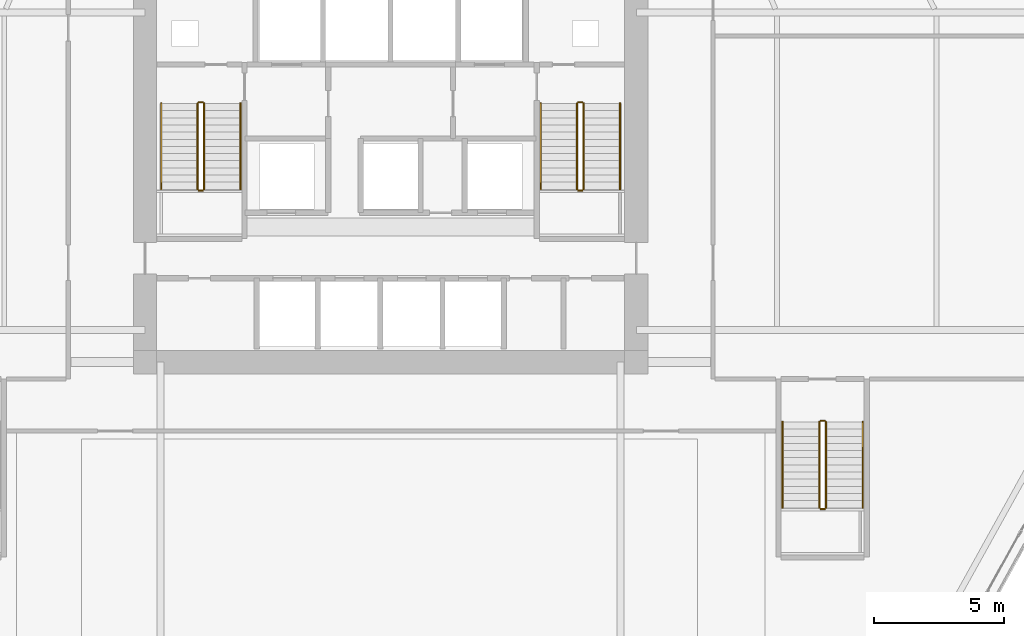
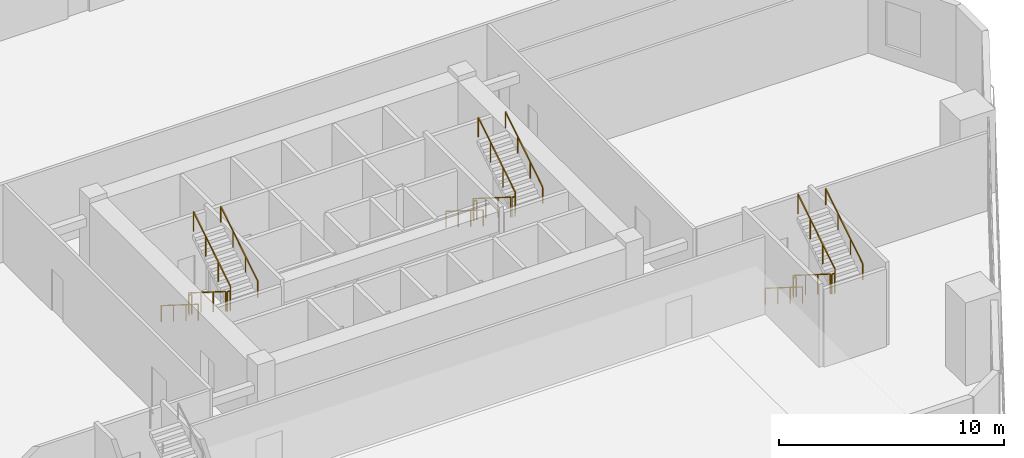
# One storey, part 17 of 18: 18 railings.
"""IFC4 building model written with IfcOpenShell, lengths in metres."""

from ifc_helpers import new_model, si_unit, direction, frame, origin, origin_2d, place, context, subcontext, project, spatial, rectangle, extrude, material, type_object, element, save


model = new_model("IFC4")

# Units and contexts
model_context = context("Model", 3, precision=1e-05, world=origin(), true_north=direction((0.0, 1.0)))
body_context = subcontext(model_context, "Body", "Model", "MODEL_VIEW")
ifc_project = project(units=[si_unit("LENGTHUNIT", "METRE"), si_unit("AREAUNIT", "SQUARE_METRE"), si_unit("VOLUMEUNIT", "CUBIC_METRE"), si_unit("PLANEANGLEUNIT", "RADIAN"), si_unit("MASSUNIT", "GRAM", prefix="KILO")], contexts=[model_context])

# Site, building, storey
site_placement = place(None, origin())
site = spatial("IfcSite", under=ifc_project, at=site_placement, CompositionType="ELEMENT")
building_placement = place(site_placement, origin())
building = spatial("IfcBuilding", under=site, at=building_placement, Name="Cinnabar Lancet Tower", CompositionType="ELEMENT")
storey_placement = place(building_placement, frame((0.0, 0.0, 15.0)))
storey = spatial("IfcBuildingStorey", under=building, at=storey_placement, Name="L03", CompositionType="ELEMENT", Elevation=15.0)

# Railings
ifc_material_1 = material(Name="Painted galvanized steel balustrade", Category="steel")
railing_type_1 = type_object("IfcRailingType", Name="GUARD-STAIR", PredefinedType="GUARDRAIL", material=ifc_material_1)
railing_1_placement = place(storey_placement, frame((24.97509765625, 28.39990234375, 0.173095703125)))
element("IfcRailing", 1, at=railing_1_placement, inside=storey, type_object=railing_type_1, Name="L03 ST-1 stair guard 1", PredefinedType="GUARDRAIL", context=body_context, shape_type="SweptSolid", body=[
    extrude(rectangle(XDim=0.048095703125, YDim=0.048095703125, at=origin_2d()), frame((0.0, 0.0, 1.076171875), z_axis=(0.0, -0.846319618018, 0.532675421018), x_axis=(1.0, 0.0, 0.0)), (0.0, 0.0, 1.0), 3.89892578125),
    extrude(rectangle(XDim=0.0419921875, YDim=0.0419921875, at=origin_2d()), origin(), (0.0, 0.0, 1.0), 1.052001953125),
    extrude(rectangle(XDim=0.0419921875, YDim=0.0419921875, at=origin_2d()), frame((0.0, -1.099853515625, 0.6923828125)), (0.0, 0.0, 1.0), 1.052001953125),
    extrude(rectangle(XDim=0.0419921875, YDim=0.0419921875, at=origin_2d()), frame((0.0, -2.199951171875, 1.384521484375)), (0.0, 0.0, 1.0), 1.052001953125),
    extrude(rectangle(XDim=0.0419921875, YDim=0.0419921875, at=origin_2d()), frame((0.0, -3.2998046875, 2.076904296875)), (0.0, 0.0, 1.0), 1.052001953125),
])
railing_2_placement = place(storey_placement, frame((25.02490234375, 25.050048828125, 2.25)))
element("IfcRailing", 2, at=railing_2_placement, inside=storey, type_object=railing_type_1, Name="L03 ST-1 stair guard 2", PredefinedType="GUARDRAIL", context=body_context, shape_type="SweptSolid", body=[
    extrude(rectangle(XDim=0.048095703125, YDim=0.048095703125, at=origin_2d()), frame((0.0, 0.0, 1.076171875), z_axis=(1.0, 0.0, 0.0), x_axis=(0.0, 1.0, 0.0)), (0.0, 0.0, 1.0), 0.150146484375),
    extrude(rectangle(XDim=0.0419921875, YDim=0.0419921875, at=origin_2d()), origin(), (0.0, 0.0, 1.0), 1.052001953125),
    extrude(rectangle(XDim=0.0419921875, YDim=0.0419921875, at=origin_2d()), frame((0.150146484375, 0.0, 0.0)), (0.0, 0.0, 1.0), 1.052001953125),
])
railing_3_placement = place(storey_placement, frame((25.22509765625, 25.10009765625, 2.423095703125)))
element("IfcRailing", 3, at=railing_3_placement, inside=storey, type_object=railing_type_1, Name="L03 ST-1 stair guard 3", PredefinedType="GUARDRAIL", context=body_context, shape_type="SweptSolid", body=[
    extrude(rectangle(XDim=0.048095703125, YDim=0.048095703125, at=origin_2d()), frame((0.0, 0.0, 1.076171875), z_axis=(0.0, 0.846319618018, 0.532675421018), x_axis=(-1.0, 0.0, 0.0)), (0.0, 0.0, 1.0), 3.89892578125),
    extrude(rectangle(XDim=0.0419921875, YDim=0.0419921875, at=origin_2d()), origin(), (0.0, 0.0, 1.0), 1.052001953125),
    extrude(rectangle(XDim=0.0419921875, YDim=0.0419921875, at=origin_2d()), frame((0.0, 1.099853515625, 0.6923828125)), (0.0, 0.0, 1.0), 1.052001953125),
    extrude(rectangle(XDim=0.0419921875, YDim=0.0419921875, at=origin_2d()), frame((0.0, 2.199951171875, 1.384521484375)), (0.0, 0.0, 1.0), 1.052001953125),
    extrude(rectangle(XDim=0.0419921875, YDim=0.0419921875, at=origin_2d()), frame((0.0, 3.2998046875, 2.076904296875)), (0.0, 0.0, 1.0), 1.052001953125),
])
railing_4_placement = place(storey_placement, frame((25.02490234375, 28.449951171875, 0.0)))
element("IfcRailing", 4, at=railing_4_placement, inside=storey, type_object=railing_type_1, Name="L03 ST-1 stair guard 4", PredefinedType="GUARDRAIL", context=body_context, shape_type="SweptSolid", body=[
    extrude(rectangle(XDim=0.048095703125, YDim=0.048095703125, at=origin_2d()), frame((0.0, 0.0, 1.076171875), z_axis=(1.0, 0.0, 0.0), x_axis=(0.0, 1.0, 0.0)), (0.0, 0.0, 1.0), 0.150146484375),
    extrude(rectangle(XDim=0.0419921875, YDim=0.0419921875, at=origin_2d()), origin(), (0.0, 0.0, 1.0), 1.052001953125),
    extrude(rectangle(XDim=0.0419921875, YDim=0.0419921875, at=origin_2d()), frame((0.150146484375, 0.0, 0.0)), (0.0, 0.0, 1.0), 1.052001953125),
])
railing_5_placement = place(storey_placement, frame((39.574951171875, 28.39990234375, 0.173095703125)))
element("IfcRailing", 5, at=railing_5_placement, inside=storey, type_object=railing_type_1, Name="L03 ST-2 stair guard 1", PredefinedType="GUARDRAIL", context=body_context, shape_type="SweptSolid", body=[
    extrude(rectangle(XDim=0.048095703125, YDim=0.048095703125, at=origin_2d()), frame((0.0, 0.0, 1.076171875), z_axis=(0.0, -0.846319618018, 0.532675421018), x_axis=(1.0, 0.0, 0.0)), (0.0, 0.0, 1.0), 3.89892578125),
    extrude(rectangle(XDim=0.0419921875, YDim=0.0419921875, at=origin_2d()), origin(), (0.0, 0.0, 1.0), 1.052001953125),
    extrude(rectangle(XDim=0.0419921875, YDim=0.0419921875, at=origin_2d()), frame((0.0, -1.099853515625, 0.6923828125)), (0.0, 0.0, 1.0), 1.052001953125),
    extrude(rectangle(XDim=0.0419921875, YDim=0.0419921875, at=origin_2d()), frame((0.0, -2.199951171875, 1.384521484375)), (0.0, 0.0, 1.0), 1.052001953125),
    extrude(rectangle(XDim=0.0419921875, YDim=0.0419921875, at=origin_2d()), frame((0.0, -3.2998046875, 2.076904296875)), (0.0, 0.0, 1.0), 1.052001953125),
])
railing_6_placement = place(storey_placement, frame((39.625, 25.050048828125, 2.25)))
element("IfcRailing", 6, at=railing_6_placement, inside=storey, type_object=railing_type_1, Name="L03 ST-2 stair guard 2", PredefinedType="GUARDRAIL", context=body_context, shape_type="SweptSolid", body=[
    extrude(rectangle(XDim=0.048095703125, YDim=0.048095703125, at=origin_2d()), frame((0.0, 0.0, 1.076171875), z_axis=(1.0, 0.0, 0.0), x_axis=(0.0, 1.0, 0.0)), (0.0, 0.0, 1.0), 0.14990234375),
    extrude(rectangle(XDim=0.0419921875, YDim=0.0419921875, at=origin_2d()), origin(), (0.0, 0.0, 1.0), 1.052001953125),
    extrude(rectangle(XDim=0.0419921875, YDim=0.0419921875, at=origin_2d()), frame((0.14990234375, 0.0, 0.0)), (0.0, 0.0, 1.0), 1.052001953125),
])
railing_7_placement = place(storey_placement, frame((39.824951171875, 25.10009765625, 2.423095703125)))
element("IfcRailing", 7, at=railing_7_placement, inside=storey, type_object=railing_type_1, Name="L03 ST-2 stair guard 3", PredefinedType="GUARDRAIL", context=body_context, shape_type="SweptSolid", body=[
    extrude(rectangle(XDim=0.048095703125, YDim=0.048095703125, at=origin_2d()), frame((0.0, 0.0, 1.076171875), z_axis=(0.0, 0.846319618018, 0.532675421018), x_axis=(-1.0, 0.0, 0.0)), (0.0, 0.0, 1.0), 3.89892578125),
    extrude(rectangle(XDim=0.0419921875, YDim=0.0419921875, at=origin_2d()), origin(), (0.0, 0.0, 1.0), 1.052001953125),
    extrude(rectangle(XDim=0.0419921875, YDim=0.0419921875, at=origin_2d()), frame((0.0, 1.099853515625, 0.6923828125)), (0.0, 0.0, 1.0), 1.052001953125),
    extrude(rectangle(XDim=0.0419921875, YDim=0.0419921875, at=origin_2d()), frame((0.0, 2.199951171875, 1.384521484375)), (0.0, 0.0, 1.0), 1.052001953125),
    extrude(rectangle(XDim=0.0419921875, YDim=0.0419921875, at=origin_2d()), frame((0.0, 3.2998046875, 2.076904296875)), (0.0, 0.0, 1.0), 1.052001953125),
])
railing_8_placement = place(storey_placement, frame((39.625, 28.449951171875, 0.0)))
element("IfcRailing", 8, at=railing_8_placement, inside=storey, type_object=railing_type_1, Name="L03 ST-2 stair guard 4", PredefinedType="GUARDRAIL", context=body_context, shape_type="SweptSolid", body=[
    extrude(rectangle(XDim=0.048095703125, YDim=0.048095703125, at=origin_2d()), frame((0.0, 0.0, 1.076171875), z_axis=(1.0, 0.0, 0.0), x_axis=(0.0, 1.0, 0.0)), (0.0, 0.0, 1.0), 0.14990234375),
    extrude(rectangle(XDim=0.0419921875, YDim=0.0419921875, at=origin_2d()), origin(), (0.0, 0.0, 1.0), 1.052001953125),
    extrude(rectangle(XDim=0.0419921875, YDim=0.0419921875, at=origin_2d()), frame((0.14990234375, 0.0, 0.0)), (0.0, 0.0, 1.0), 1.052001953125),
])
railing_9_placement = place(storey_placement, frame((48.89501953125, 16.14990234375, 0.173095703125)))
element("IfcRailing", 9, at=railing_9_placement, inside=storey, type_object=railing_type_1, Name="L03 ST-4 stair guard 1", PredefinedType="GUARDRAIL", context=body_context, shape_type="SweptSolid", body=[
    extrude(rectangle(XDim=0.048095703125, YDim=0.048095703125, at=origin_2d()), frame((0.0, 0.0, 1.076171875), z_axis=(0.0, -0.846319618018, 0.532675421018), x_axis=(1.0, 0.0, 0.0)), (0.0, 0.0, 1.0), 3.89892578125),
    extrude(rectangle(XDim=0.0419921875, YDim=0.0419921875, at=origin_2d()), origin(), (0.0, 0.0, 1.0), 1.052001953125),
    extrude(rectangle(XDim=0.0419921875, YDim=0.0419921875, at=origin_2d()), frame((0.0, -1.099853515625, 0.6923828125)), (0.0, 0.0, 1.0), 1.052001953125),
    extrude(rectangle(XDim=0.0419921875, YDim=0.0419921875, at=origin_2d()), frame((0.0, -2.199951171875, 1.384521484375)), (0.0, 0.0, 1.0), 1.052001953125),
    extrude(rectangle(XDim=0.0419921875, YDim=0.0419921875, at=origin_2d()), frame((0.0, -3.2998046875, 2.076904296875)), (0.0, 0.0, 1.0), 1.052001953125),
])
railing_10_placement = place(storey_placement, frame((48.945068359375, 12.800048828125, 2.25)))
element("IfcRailing", 10, at=railing_10_placement, inside=storey, type_object=railing_type_1, Name="L03 ST-4 stair guard 2", PredefinedType="GUARDRAIL", context=body_context, shape_type="SweptSolid", body=[
    extrude(rectangle(XDim=0.048095703125, YDim=0.048095703125, at=origin_2d()), frame((0.0, 0.0, 1.076171875), z_axis=(1.0, 0.0, 0.0), x_axis=(0.0, 1.0, 0.0)), (0.0, 0.0, 1.0), 0.14990234375),
    extrude(rectangle(XDim=0.0419921875, YDim=0.0419921875, at=origin_2d()), origin(), (0.0, 0.0, 1.0), 1.052001953125),
    extrude(rectangle(XDim=0.0419921875, YDim=0.0419921875, at=origin_2d()), frame((0.14990234375, 0.0, 0.0)), (0.0, 0.0, 1.0), 1.052001953125),
])
railing_11_placement = place(storey_placement, frame((49.14501953125, 12.85009765625, 2.423095703125)))
element("IfcRailing", 11, at=railing_11_placement, inside=storey, type_object=railing_type_1, Name="L03 ST-4 stair guard 3", PredefinedType="GUARDRAIL", context=body_context, shape_type="SweptSolid", body=[
    extrude(rectangle(XDim=0.048095703125, YDim=0.048095703125, at=origin_2d()), frame((0.0, 0.0, 1.076171875), z_axis=(0.0, 0.846319618018, 0.532675421018), x_axis=(-1.0, 0.0, 0.0)), (0.0, 0.0, 1.0), 3.89892578125),
    extrude(rectangle(XDim=0.0419921875, YDim=0.0419921875, at=origin_2d()), origin(), (0.0, 0.0, 1.0), 1.052001953125),
    extrude(rectangle(XDim=0.0419921875, YDim=0.0419921875, at=origin_2d()), frame((0.0, 1.099853515625, 0.6923828125)), (0.0, 0.0, 1.0), 1.052001953125),
    extrude(rectangle(XDim=0.0419921875, YDim=0.0419921875, at=origin_2d()), frame((0.0, 2.199951171875, 1.384521484375)), (0.0, 0.0, 1.0), 1.052001953125),
    extrude(rectangle(XDim=0.0419921875, YDim=0.0419921875, at=origin_2d()), frame((0.0, 3.2998046875, 2.076904296875)), (0.0, 0.0, 1.0), 1.052001953125),
])
railing_12_placement = place(storey_placement, frame((48.945068359375, 16.199951171875, 0.0)))
element("IfcRailing", 12, at=railing_12_placement, inside=storey, type_object=railing_type_1, Name="L03 ST-4 stair guard 4", PredefinedType="GUARDRAIL", context=body_context, shape_type="SweptSolid", body=[
    extrude(rectangle(XDim=0.048095703125, YDim=0.048095703125, at=origin_2d()), frame((0.0, 0.0, 1.076171875), z_axis=(1.0, 0.0, 0.0), x_axis=(0.0, 1.0, 0.0)), (0.0, 0.0, 1.0), 0.14990234375),
    extrude(rectangle(XDim=0.0419921875, YDim=0.0419921875, at=origin_2d()), origin(), (0.0, 0.0, 1.0), 1.052001953125),
    extrude(rectangle(XDim=0.0419921875, YDim=0.0419921875, at=origin_2d()), frame((0.14990234375, 0.0, 0.0)), (0.0, 0.0, 1.0), 1.052001953125),
])
ifc_material_2 = material(Name="Brushed stainless steel handrail", Category="steel")
railing_type_2 = type_object("IfcRailingType", Name="HANDRAIL-STAIR", PredefinedType="HANDRAIL", material=ifc_material_2)
railing_13_placement = place(storey_placement, frame((23.574951171875, 28.39990234375, 0.173095703125)))
element("IfcRailing", 13, at=railing_13_placement, inside=storey, type_object=railing_type_2, Name="L03 ST-1 stair handrail 1", PredefinedType="HANDRAIL", context=body_context, shape_type="SweptSolid", body=[
    extrude(rectangle(XDim=0.048095703125, YDim=0.048095703125, at=origin_2d()), frame((0.0, 0.0, 0.8759765625), z_axis=(0.0, -0.846319618018, 0.532675421018), x_axis=(1.0, 0.0, 0.0)), (0.0, 0.0, 1.0), 3.89892578125),
    extrude(rectangle(XDim=0.0419921875, YDim=0.0419921875, at=origin_2d()), origin(), (0.0, 0.0, 1.0), 0.851806640625),
    extrude(rectangle(XDim=0.0419921875, YDim=0.0419921875, at=origin_2d()), frame((0.0, -1.099853515625, 0.6923828125)), (0.0, 0.0, 1.0), 0.851806640625),
    extrude(rectangle(XDim=0.0419921875, YDim=0.0419921875, at=origin_2d()), frame((0.0, -2.199951171875, 1.384521484375)), (0.0, 0.0, 1.0), 0.851806640625),
    extrude(rectangle(XDim=0.0419921875, YDim=0.0419921875, at=origin_2d()), frame((0.0, -3.2998046875, 2.076904296875)), (0.0, 0.0, 1.0), 0.851806640625),
])
railing_14_placement = place(storey_placement, frame((26.625, 25.10009765625, 2.423095703125)))
element("IfcRailing", 14, at=railing_14_placement, inside=storey, type_object=railing_type_2, Name="L03 ST-1 stair handrail 2", PredefinedType="HANDRAIL", context=body_context, shape_type="SweptSolid", body=[
    extrude(rectangle(XDim=0.048095703125, YDim=0.048095703125, at=origin_2d()), frame((0.0, 0.0, 0.8759765625), z_axis=(0.0, 0.846319618018, 0.532675421018), x_axis=(-1.0, 0.0, 0.0)), (0.0, 0.0, 1.0), 3.89892578125),
    extrude(rectangle(XDim=0.0419921875, YDim=0.0419921875, at=origin_2d()), origin(), (0.0, 0.0, 1.0), 0.851806640625),
    extrude(rectangle(XDim=0.0419921875, YDim=0.0419921875, at=origin_2d()), frame((0.0, 1.099853515625, 0.6923828125)), (0.0, 0.0, 1.0), 0.851806640625),
    extrude(rectangle(XDim=0.0419921875, YDim=0.0419921875, at=origin_2d()), frame((0.0, 2.199951171875, 1.384521484375)), (0.0, 0.0, 1.0), 0.851806640625),
    extrude(rectangle(XDim=0.0419921875, YDim=0.0419921875, at=origin_2d()), frame((0.0, 3.2998046875, 2.076904296875)), (0.0, 0.0, 1.0), 0.851806640625),
])
railing_15_placement = place(storey_placement, frame((38.175048828125, 28.39990234375, 0.173095703125)))
element("IfcRailing", 15, at=railing_15_placement, inside=storey, type_object=railing_type_2, Name="L03 ST-2 stair handrail 1", PredefinedType="HANDRAIL", context=body_context, shape_type="SweptSolid", body=[
    extrude(rectangle(XDim=0.048095703125, YDim=0.048095703125, at=origin_2d()), frame((0.0, 0.0, 0.8759765625), z_axis=(0.0, -0.846319618018, 0.532675421018), x_axis=(1.0, 0.0, 0.0)), (0.0, 0.0, 1.0), 3.89892578125),
    extrude(rectangle(XDim=0.0419921875, YDim=0.0419921875, at=origin_2d()), origin(), (0.0, 0.0, 1.0), 0.851806640625),
    extrude(rectangle(XDim=0.0419921875, YDim=0.0419921875, at=origin_2d()), frame((0.0, -1.099853515625, 0.6923828125)), (0.0, 0.0, 1.0), 0.851806640625),
    extrude(rectangle(XDim=0.0419921875, YDim=0.0419921875, at=origin_2d()), frame((0.0, -2.199951171875, 1.384521484375)), (0.0, 0.0, 1.0), 0.851806640625),
    extrude(rectangle(XDim=0.0419921875, YDim=0.0419921875, at=origin_2d()), frame((0.0, -3.2998046875, 2.076904296875)), (0.0, 0.0, 1.0), 0.851806640625),
])
railing_16_placement = place(storey_placement, frame((41.22509765625, 25.10009765625, 2.423095703125)))
element("IfcRailing", 16, at=railing_16_placement, inside=storey, type_object=railing_type_2, Name="L03 ST-2 stair handrail 2", PredefinedType="HANDRAIL", context=body_context, shape_type="SweptSolid", body=[
    extrude(rectangle(XDim=0.048095703125, YDim=0.048095703125, at=origin_2d()), frame((0.0, 0.0, 0.8759765625), z_axis=(0.0, 0.846319618018, 0.532675421018), x_axis=(-1.0, 0.0, 0.0)), (0.0, 0.0, 1.0), 3.89892578125),
    extrude(rectangle(XDim=0.0419921875, YDim=0.0419921875, at=origin_2d()), origin(), (0.0, 0.0, 1.0), 0.851806640625),
    extrude(rectangle(XDim=0.0419921875, YDim=0.0419921875, at=origin_2d()), frame((0.0, 1.099853515625, 0.6923828125)), (0.0, 0.0, 1.0), 0.851806640625),
    extrude(rectangle(XDim=0.0419921875, YDim=0.0419921875, at=origin_2d()), frame((0.0, 2.199951171875, 1.384521484375)), (0.0, 0.0, 1.0), 0.851806640625),
    extrude(rectangle(XDim=0.0419921875, YDim=0.0419921875, at=origin_2d()), frame((0.0, 3.2998046875, 2.076904296875)), (0.0, 0.0, 1.0), 0.851806640625),
])
railing_17_placement = place(storey_placement, frame((47.47509765625, 16.14990234375, 0.173095703125)))
element("IfcRailing", 17, at=railing_17_placement, inside=storey, type_object=railing_type_2, Name="L03 ST-4 stair handrail 1", PredefinedType="HANDRAIL", context=body_context, shape_type="SweptSolid", body=[
    extrude(rectangle(XDim=0.048095703125, YDim=0.048095703125, at=origin_2d()), frame((0.0, 0.0, 0.8759765625), z_axis=(0.0, -0.846319618018, 0.532675421018), x_axis=(1.0, 0.0, 0.0)), (0.0, 0.0, 1.0), 3.89892578125),
    extrude(rectangle(XDim=0.0419921875, YDim=0.0419921875, at=origin_2d()), origin(), (0.0, 0.0, 1.0), 0.851806640625),
    extrude(rectangle(XDim=0.0419921875, YDim=0.0419921875, at=origin_2d()), frame((0.0, -1.099853515625, 0.6923828125)), (0.0, 0.0, 1.0), 0.851806640625),
    extrude(rectangle(XDim=0.0419921875, YDim=0.0419921875, at=origin_2d()), frame((0.0, -2.199951171875, 1.384521484375)), (0.0, 0.0, 1.0), 0.851806640625),
    extrude(rectangle(XDim=0.0419921875, YDim=0.0419921875, at=origin_2d()), frame((0.0, -3.2998046875, 2.076904296875)), (0.0, 0.0, 1.0), 0.851806640625),
])
railing_18_placement = place(storey_placement, frame((50.56494140625, 12.85009765625, 2.423095703125)))
element("IfcRailing", 18, at=railing_18_placement, inside=storey, type_object=railing_type_2, Name="L03 ST-4 stair handrail 2", PredefinedType="HANDRAIL", context=body_context, shape_type="SweptSolid", body=[
    extrude(rectangle(XDim=0.048095703125, YDim=0.048095703125, at=origin_2d()), frame((0.0, 0.0, 0.8759765625), z_axis=(0.0, 0.846319618018, 0.532675421018), x_axis=(-1.0, 0.0, 0.0)), (0.0, 0.0, 1.0), 3.89892578125),
    extrude(rectangle(XDim=0.0419921875, YDim=0.0419921875, at=origin_2d()), origin(), (0.0, 0.0, 1.0), 0.851806640625),
    extrude(rectangle(XDim=0.0419921875, YDim=0.0419921875, at=origin_2d()), frame((0.0, 1.099853515625, 0.6923828125)), (0.0, 0.0, 1.0), 0.851806640625),
    extrude(rectangle(XDim=0.0419921875, YDim=0.0419921875, at=origin_2d()), frame((0.0, 2.199951171875, 1.384521484375)), (0.0, 0.0, 1.0), 0.851806640625),
    extrude(rectangle(XDim=0.0419921875, YDim=0.0419921875, at=origin_2d()), frame((0.0, 3.2998046875, 2.076904296875)), (0.0, 0.0, 1.0), 0.851806640625),
])

save(model, "model.ifc")
